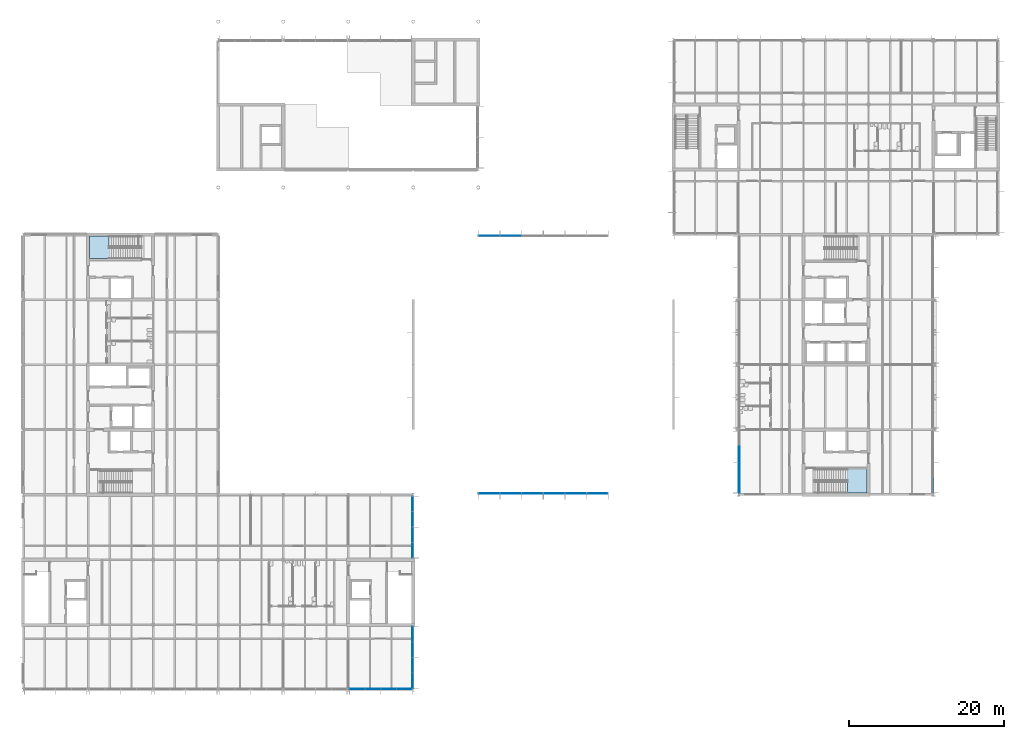
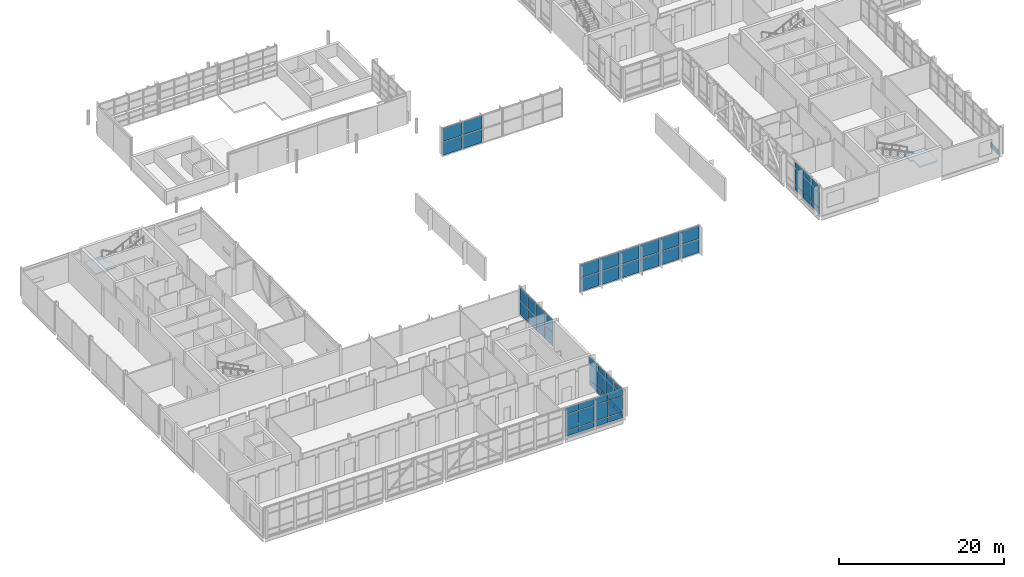
# One storey, part 32 of 72: 58 plates, 2 slabs, 10 elements without a shape of their own.
"""IFC4 building model written with IfcOpenShell, lengths in metres."""

from ifc_helpers import new_model, si_unit, direction, frame, origin, origin_2d, place, context, subcontext, project, spatial, polyline, rectangle, outline, extrude, material, layer, layer_set, type_object, element, aggregate, save


model = new_model("IFC4")

# Units and contexts
model_context = context("Model", 3, precision=1e-05, world=origin(), true_north=direction((0.0, 1.0)))
body_context = subcontext(model_context, "Body", "Model", "MODEL_VIEW")
ifc_project = project(units=[si_unit("LENGTHUNIT", "METRE"), si_unit("AREAUNIT", "SQUARE_METRE"), si_unit("VOLUMEUNIT", "CUBIC_METRE"), si_unit("PLANEANGLEUNIT", "RADIAN"), si_unit("MASSUNIT", "GRAM", prefix="KILO")], contexts=[model_context])

# Site, building, storey
site_placement = place(None, origin())
site = spatial("IfcSite", under=ifc_project, at=site_placement, CompositionType="ELEMENT")
building_placement = place(site_placement, origin())
building = spatial("IfcBuilding", under=site, at=building_placement, Name="Hlaing Beacon Police Headquarters", CompositionType="ELEMENT")
storey_placement = place(building_placement, frame((0.0, 0.0, 14.39990234375)))
storey = spatial("IfcBuildingStorey", under=building, at=storey_placement, Name="L03", CompositionType="ELEMENT", Elevation=14.39990234375)

# Curtain wall, plates
ifc_material_1 = material(Name="Aluminium frame with solar control glazing", Category="aluminium")
curtain_wall_type_1 = type_object("IfcCurtainWallType", Name="Unitised curtain wall 8.02 x 4.37", PredefinedType="NOTDEFINED", material=ifc_material_1)
curtain_wall_1_placement = place(storey_placement, origin())
curtain_wall_1 = element("IfcCurtainWall", 1, at=curtain_wall_1_placement, inside=storey, type_object=curtain_wall_type_1, Name="ENV-CW-L03-E013", PredefinedType="NOTDEFINED")
ifc_material_2 = material(Name="Solar control glazing", Category="glass")
ifc_layer_1 = layer(ifc_material_2, 0.02392578125)
ifc_layer_set_1 = layer_set([ifc_layer_1], Name="Solar control glazing")
plate_type_1 = type_object("IfcPlateType", Name="Clear glazing panel 24", PredefinedType="CURTAIN_PANEL", material=ifc_layer_set_1)
plate_1_placement = place(storey_placement, frame((58.699951171875, 9.594482421875, 3.35009765625), z_axis=(0.0, 0.0, 1.0), x_axis=(0.0, 1.0, 0.0)))
plate_1 = element("IfcPlate", 2, at=plate_1_placement, type_object=plate_type_1, Name="CW-L03-E013 panel 1.3", PredefinedType="CURTAIN_PANEL", context=body_context, shape_type="SweptSolid", body=[
    extrude(rectangle(XDim=1.915771484375, YDim=0.02392578125, at=origin_2d()), origin(), (0.0, 0.0, 1.0), 0.919921875),
])
plate_2_placement = place(storey_placement, frame((58.699951171875, 11.585205078125, 3.35009765625), z_axis=(0.0, 0.0, 1.0), x_axis=(0.0, 1.0, 0.0)))
plate_2 = element("IfcPlate", 3, at=plate_2_placement, type_object=plate_type_1, Name="CW-L03-E013 panel 2.3", PredefinedType="CURTAIN_PANEL", context=body_context, shape_type="SweptSolid", body=[
    extrude(rectangle(XDim=1.94580078125, YDim=0.02392578125, at=origin_2d()), origin(), (0.0, 0.0, 1.0), 0.919921875),
])
plate_3_placement = place(storey_placement, frame((58.699951171875, 13.59130859375, 3.35009765625), z_axis=(0.0, 0.0, 1.0), x_axis=(0.0, 1.0, 0.0)))
plate_3 = element("IfcPlate", 4, at=plate_3_placement, type_object=plate_type_1, Name="CW-L03-E013 panel 3.3", PredefinedType="CURTAIN_PANEL", context=body_context, shape_type="SweptSolid", body=[
    extrude(rectangle(XDim=1.94580078125, YDim=0.02392578125, at=origin_2d()), origin(), (0.0, 0.0, 1.0), 0.919921875),
])
plate_4_placement = place(storey_placement, frame((58.699951171875, 15.58203125, 3.35009765625), z_axis=(0.0, 0.0, 1.0), x_axis=(0.0, 1.0, 0.0)))
plate_4 = element("IfcPlate", 5, at=plate_4_placement, type_object=plate_type_1, Name="CW-L03-E013 panel 4.3", PredefinedType="CURTAIN_PANEL", context=body_context, shape_type="SweptSolid", body=[
    extrude(rectangle(XDim=1.915771484375, YDim=0.02392578125, at=origin_2d()), origin(), (0.0, 0.0, 1.0), 0.919921875),
])

ifc_material_3 = material(Name="Aluminium frame with solar control glazing", Category="aluminium")
curtain_wall_type_2 = type_object("IfcCurtainWallType", Name="Unitised curtain wall 8.15 x 4.37", PredefinedType="NOTDEFINED", material=ifc_material_3)
curtain_wall_2_placement = place(storey_placement, origin())
curtain_wall_2 = element("IfcCurtainWall", 6, at=curtain_wall_2_placement, inside=storey, type_object=curtain_wall_type_2, Name="ENV-CW-L03-S020", PredefinedType="NOTDEFINED")
plate_5_placement = place(storey_placement, frame((51.560302734375, 8.5, 3.35009765625), z_axis=(0.0, 0.0, 1.0), x_axis=(1.0, 0.0, 0.0)))
plate_5 = element("IfcPlate", 7, at=plate_5_placement, type_object=plate_type_1, Name="CW-L03-S020 panel 1.3", PredefinedType="CURTAIN_PANEL", context=body_context, shape_type="SweptSolid", body=[
    extrude(rectangle(XDim=1.946533203125, YDim=0.02392578125, at=origin_2d()), origin(), (0.0, 0.0, 1.0), 0.919921875),
])
plate_6_placement = place(storey_placement, frame((53.581787109375, 8.5, 3.35009765625), z_axis=(0.0, 0.0, 1.0), x_axis=(1.0, 0.0, 0.0)))
plate_6 = element("IfcPlate", 8, at=plate_6_placement, type_object=plate_type_1, Name="CW-L03-S020 panel 2.3", PredefinedType="CURTAIN_PANEL", context=body_context, shape_type="SweptSolid", body=[
    extrude(rectangle(XDim=1.9765625, YDim=0.02392578125, at=origin_2d()), origin(), (0.0, 0.0, 1.0), 0.919921875),
])
plate_7_placement = place(storey_placement, frame((55.6181640625, 8.5, 3.35009765625), z_axis=(0.0, 0.0, 1.0), x_axis=(1.0, 0.0, 0.0)))
plate_7 = element("IfcPlate", 9, at=plate_7_placement, type_object=plate_type_1, Name="CW-L03-S020 panel 3.3", PredefinedType="CURTAIN_PANEL", context=body_context, shape_type="SweptSolid", body=[
    extrude(rectangle(XDim=1.9765625, YDim=0.02392578125, at=origin_2d()), origin(), (0.0, 0.0, 1.0), 0.919921875),
])
plate_8_placement = place(storey_placement, frame((57.6396484375, 8.5, 3.35009765625), z_axis=(0.0, 0.0, 1.0), x_axis=(1.0, 0.0, 0.0)))
plate_8 = element("IfcPlate", 10, at=plate_8_placement, type_object=plate_type_1, Name="CW-L03-S020 panel 4.3", PredefinedType="CURTAIN_PANEL", context=body_context, shape_type="SweptSolid", body=[
    extrude(rectangle(XDim=1.946533203125, YDim=0.02392578125, at=origin_2d()), origin(), (0.0, 0.0, 1.0), 0.919921875),
])

# Plate
ifc_material_4 = material(Name="Solar control glazing", Category="glass")
ifc_layer_2 = layer(ifc_material_4, 0.0439453125)
ifc_layer_set_2 = layer_set([ifc_layer_2], Name="Solar control glazing")
plate_type_2 = type_object("IfcPlateType", Name="Clear glazing panel 44", PredefinedType="CURTAIN_PANEL", material=ifc_layer_set_2)
plate_9_placement = place(storey_placement, frame((58.699951171875, 9.594482421875, 0.9501953125), z_axis=(0.0, 0.0, 1.0), x_axis=(0.0, 1.0, 0.0)))
plate_9 = element("IfcPlate", 11, at=plate_9_placement, type_object=plate_type_2, Name="CW-L03-E013 panel 1.2", PredefinedType="CURTAIN_PANEL", context=body_context, shape_type="SweptSolid", body=[
    extrude(rectangle(XDim=1.915771484375, YDim=0.0439453125, at=origin_2d()), origin(), (0.0, 0.0, 1.0), 2.300048828125),
])

plate_10_placement = place(storey_placement, frame((58.699951171875, 11.585205078125, 0.9501953125), z_axis=(0.0, 0.0, 1.0), x_axis=(0.0, 1.0, 0.0)))
plate_10 = element("IfcPlate", 12, at=plate_10_placement, type_object=plate_type_2, Name="CW-L03-E013 panel 2.2", PredefinedType="CURTAIN_PANEL", context=body_context, shape_type="SweptSolid", body=[
    extrude(rectangle(XDim=1.94580078125, YDim=0.0439453125, at=origin_2d()), origin(), (0.0, 0.0, 1.0), 2.300048828125),
])

plate_11_placement = place(storey_placement, frame((58.699951171875, 13.59130859375, 0.9501953125), z_axis=(0.0, 0.0, 1.0), x_axis=(0.0, 1.0, 0.0)))
plate_11 = element("IfcPlate", 13, at=plate_11_placement, type_object=plate_type_2, Name="CW-L03-E013 panel 3.2", PredefinedType="CURTAIN_PANEL", context=body_context, shape_type="SweptSolid", body=[
    extrude(rectangle(XDim=1.94580078125, YDim=0.0439453125, at=origin_2d()), origin(), (0.0, 0.0, 1.0), 2.300048828125),
])

plate_12_placement = place(storey_placement, frame((58.699951171875, 15.58203125, 0.9501953125), z_axis=(0.0, 0.0, 1.0), x_axis=(0.0, 1.0, 0.0)))
plate_12 = element("IfcPlate", 14, at=plate_12_placement, type_object=plate_type_2, Name="CW-L03-E013 panel 4.2", PredefinedType="CURTAIN_PANEL", context=body_context, shape_type="SweptSolid", body=[
    extrude(rectangle(XDim=1.915771484375, YDim=0.0439453125, at=origin_2d()), origin(), (0.0, 0.0, 1.0), 2.300048828125),
])

# Curtain wall, plates
ifc_material_5 = material(Name="Aluminium frame with solar control glazing", Category="aluminium")
curtain_wall_type_3 = type_object("IfcCurtainWallType", Name="Unitised curtain wall 8.02 x 4.16", PredefinedType="NOTDEFINED", material=ifc_material_5)
curtain_wall_3_placement = place(storey_placement, origin())
curtain_wall_3 = element("IfcCurtainWall", 15, at=curtain_wall_3_placement, inside=storey, type_object=curtain_wall_type_3, Name="ENV-CW-L03-E014", PredefinedType="NOTDEFINED")
plate_13_placement = place(storey_placement, frame((58.699951171875, 26.41796875, 0.30810546875), z_axis=(0.0, 0.0, 1.0), x_axis=(0.0, 1.0, 0.0)))
plate_13 = element("IfcPlate", 16, at=plate_13_placement, type_object=plate_type_2, Name="CW-L03-E014 panel 1.1", PredefinedType="CURTAIN_PANEL", context=body_context, shape_type="SweptSolid", body=[
    extrude(rectangle(XDim=1.915771484375, YDim=0.0439453125, at=origin_2d()), origin(), (0.0, 0.0, 1.0), 1.930908203125),
])
plate_14_placement = place(storey_placement, frame((58.699951171875, 26.41796875, 2.3388671875), z_axis=(0.0, 0.0, 1.0), x_axis=(0.0, 1.0, 0.0)))
plate_14 = element("IfcPlate", 17, at=plate_14_placement, type_object=plate_type_2, Name="CW-L03-E014 panel 1.2", PredefinedType="CURTAIN_PANEL", context=body_context, shape_type="SweptSolid", body=[
    extrude(rectangle(XDim=1.915771484375, YDim=0.0439453125, at=origin_2d()), origin(), (0.0, 0.0, 1.0), 1.93115234375),
])
plate_15_placement = place(storey_placement, frame((58.699951171875, 28.40869140625, 0.30810546875), z_axis=(0.0, 0.0, 1.0), x_axis=(0.0, 1.0, 0.0)))
plate_15 = element("IfcPlate", 18, at=plate_15_placement, type_object=plate_type_2, Name="CW-L03-E014 panel 2.1", PredefinedType="CURTAIN_PANEL", context=body_context, shape_type="SweptSolid", body=[
    extrude(rectangle(XDim=1.94580078125, YDim=0.0439453125, at=origin_2d()), origin(), (0.0, 0.0, 1.0), 1.930908203125),
])
plate_16_placement = place(storey_placement, frame((58.699951171875, 28.40869140625, 2.3388671875), z_axis=(0.0, 0.0, 1.0), x_axis=(0.0, 1.0, 0.0)))
plate_16 = element("IfcPlate", 19, at=plate_16_placement, type_object=plate_type_2, Name="CW-L03-E014 panel 2.2", PredefinedType="CURTAIN_PANEL", context=body_context, shape_type="SweptSolid", body=[
    extrude(rectangle(XDim=1.94580078125, YDim=0.0439453125, at=origin_2d()), origin(), (0.0, 0.0, 1.0), 1.93115234375),
])
plate_17_placement = place(storey_placement, frame((58.699951171875, 30.414794921875, 0.30810546875), z_axis=(0.0, 0.0, 1.0), x_axis=(0.0, 1.0, 0.0)))
plate_17 = element("IfcPlate", 20, at=plate_17_placement, type_object=plate_type_2, Name="CW-L03-E014 panel 3.1", PredefinedType="CURTAIN_PANEL", context=body_context, shape_type="SweptSolid", body=[
    extrude(rectangle(XDim=1.94580078125, YDim=0.0439453125, at=origin_2d()), origin(), (0.0, 0.0, 1.0), 1.930908203125),
])
plate_18_placement = place(storey_placement, frame((58.699951171875, 30.414794921875, 2.3388671875), z_axis=(0.0, 0.0, 1.0), x_axis=(0.0, 1.0, 0.0)))
plate_18 = element("IfcPlate", 21, at=plate_18_placement, type_object=plate_type_2, Name="CW-L03-E014 panel 3.2", PredefinedType="CURTAIN_PANEL", context=body_context, shape_type="SweptSolid", body=[
    extrude(rectangle(XDim=1.94580078125, YDim=0.0439453125, at=origin_2d()), origin(), (0.0, 0.0, 1.0), 1.93115234375),
])
plate_19_placement = place(storey_placement, frame((58.699951171875, 32.405517578125, 0.30810546875), z_axis=(0.0, 0.0, 1.0), x_axis=(0.0, 1.0, 0.0)))
plate_19 = element("IfcPlate", 22, at=plate_19_placement, type_object=plate_type_2, Name="CW-L03-E014 panel 4.1", PredefinedType="CURTAIN_PANEL", context=body_context, shape_type="SweptSolid", body=[
    extrude(rectangle(XDim=1.915771484375, YDim=0.0439453125, at=origin_2d()), origin(), (0.0, 0.0, 1.0), 1.930908203125),
])
plate_20_placement = place(storey_placement, frame((58.699951171875, 32.405517578125, 2.3388671875), z_axis=(0.0, 0.0, 1.0), x_axis=(0.0, 1.0, 0.0)))
plate_20 = element("IfcPlate", 23, at=plate_20_placement, type_object=plate_type_2, Name="CW-L03-E014 panel 4.2", PredefinedType="CURTAIN_PANEL", context=body_context, shape_type="SweptSolid", body=[
    extrude(rectangle(XDim=1.915771484375, YDim=0.0439453125, at=origin_2d()), origin(), (0.0, 0.0, 1.0), 1.93115234375),
])
aggregate(curtain_wall_3, [plate_13, plate_14, plate_15, plate_16, plate_17, plate_18, plate_19, plate_20])

# Plate
plate_21_placement = place(storey_placement, frame((51.560302734375, 8.5, 0.9501953125), z_axis=(0.0, 0.0, 1.0), x_axis=(1.0, 0.0, 0.0)))
plate_21 = element("IfcPlate", 24, at=plate_21_placement, type_object=plate_type_2, Name="CW-L03-S020 panel 1.2", PredefinedType="CURTAIN_PANEL", context=body_context, shape_type="SweptSolid", body=[
    extrude(rectangle(XDim=1.946533203125, YDim=0.0439453125, at=origin_2d()), origin(), (0.0, 0.0, 1.0), 2.300048828125),
])

plate_22_placement = place(storey_placement, frame((53.581787109375, 8.5, 0.9501953125), z_axis=(0.0, 0.0, 1.0), x_axis=(1.0, 0.0, 0.0)))
plate_22 = element("IfcPlate", 25, at=plate_22_placement, type_object=plate_type_2, Name="CW-L03-S020 panel 2.2", PredefinedType="CURTAIN_PANEL", context=body_context, shape_type="SweptSolid", body=[
    extrude(rectangle(XDim=1.9765625, YDim=0.0439453125, at=origin_2d()), origin(), (0.0, 0.0, 1.0), 2.300048828125),
])

plate_23_placement = place(storey_placement, frame((55.6181640625, 8.5, 0.9501953125), z_axis=(0.0, 0.0, 1.0), x_axis=(1.0, 0.0, 0.0)))
plate_23 = element("IfcPlate", 26, at=plate_23_placement, type_object=plate_type_2, Name="CW-L03-S020 panel 3.2", PredefinedType="CURTAIN_PANEL", context=body_context, shape_type="SweptSolid", body=[
    extrude(rectangle(XDim=1.9765625, YDim=0.0439453125, at=origin_2d()), origin(), (0.0, 0.0, 1.0), 2.300048828125),
])

plate_24_placement = place(storey_placement, frame((57.6396484375, 8.5, 0.9501953125), z_axis=(0.0, 0.0, 1.0), x_axis=(1.0, 0.0, 0.0)))
plate_24 = element("IfcPlate", 27, at=plate_24_placement, type_object=plate_type_2, Name="CW-L03-S020 panel 4.2", PredefinedType="CURTAIN_PANEL", context=body_context, shape_type="SweptSolid", body=[
    extrude(rectangle(XDim=1.946533203125, YDim=0.0439453125, at=origin_2d()), origin(), (0.0, 0.0, 1.0), 2.300048828125),
])

# Curtain wall, plates
curtain_wall_4_placement = place(storey_placement, origin())
curtain_wall_4 = element("IfcCurtainWall", 28, at=curtain_wall_4_placement, inside=storey, type_object=curtain_wall_type_1, Name="ENV-CW-L03-W039", PredefinedType="NOTDEFINED")
plate_25_placement = place(storey_placement, frame((100.89990234375, 38.801025390625, 0.9501953125), z_axis=(0.0, 0.0, 1.0), x_axis=(0.0, -1.0, 0.0)))
plate_25 = element("IfcPlate", 29, at=plate_25_placement, type_object=plate_type_2, Name="CW-L03-W039 panel 2.2", PredefinedType="CURTAIN_PANEL", context=body_context, shape_type="SweptSolid", body=[
    extrude(rectangle(XDim=1.94580078125, YDim=0.0439453125, at=origin_2d()), origin(), (0.0, 0.0, 1.0), 2.300048828125),
])
plate_26_placement = place(storey_placement, frame((100.89990234375, 34.804443359375, 0.9501953125), z_axis=(0.0, 0.0, 1.0), x_axis=(0.0, -1.0, 0.0)))
plate_26 = element("IfcPlate", 30, at=plate_26_placement, type_object=plate_type_2, Name="CW-L03-W039 panel 4.2", PredefinedType="CURTAIN_PANEL", context=body_context, shape_type="SweptSolid", body=[
    extrude(rectangle(XDim=1.915771484375, YDim=0.0439453125, at=origin_2d()), origin(), (0.0, 0.0, 1.0), 2.300048828125),
])
ifc_material_6 = material(Name="Fritted solar control glazing", Category="glass")
ifc_layer_3 = layer(ifc_material_6, 0.0439453125)
ifc_layer_set_3 = layer_set([ifc_layer_3], Name="Fritted solar control glazing")
plate_type_3 = type_object("IfcPlateType", Name="Fritted glazing panel 44", PredefinedType="CURTAIN_PANEL", material=ifc_layer_set_3)
plate_27_placement = place(storey_placement, frame((100.89990234375, 36.795166015625, 0.9501953125), z_axis=(0.0, 0.0, 1.0), x_axis=(0.0, -1.0, 0.0)))
plate_27 = element("IfcPlate", 31, at=plate_27_placement, type_object=plate_type_3, Name="CW-L03-W039 panel 3.2", PredefinedType="CURTAIN_PANEL", context=body_context, shape_type="SweptSolid", body=[
    extrude(rectangle(XDim=1.94580078125, YDim=0.0439453125, at=origin_2d()), origin(), (0.0, 0.0, 1.0), 2.300048828125),
])

# Curtain wall, plate
ifc_material_7 = material(Name="Aluminium frame with solar control glazing", Category="aluminium")
curtain_wall_type_4 = type_object("IfcCurtainWallType", Name="Unitised curtain wall 8.00 x 4.37", PredefinedType="NOTDEFINED", material=ifc_material_7)
curtain_wall_5_placement = place(storey_placement, origin())
curtain_wall_5 = element("IfcCurtainWall", 32, at=curtain_wall_5_placement, inside=storey, type_object=curtain_wall_type_4, Name="ENV-CW-L03-E021", PredefinedType="NOTDEFINED")
ifc_material_8 = material(Name="Insulated aluminium spandrel", Category="aluminium")
ifc_layer_4 = layer(ifc_material_8, 0.06005859375)
ifc_layer_set_4 = layer_set([ifc_layer_4], Name="Insulated aluminium spandrel")
plate_type_4 = type_object("IfcPlateType", Name="Insulated spandrel panel 60", PredefinedType="CURTAIN_PANEL", material=ifc_layer_set_4)
plate_28_placement = place(storey_placement, frame((125.89990234375, 34.823486328125, 0.10009765625), z_axis=(0.0, 0.0, 1.0), x_axis=(0.0, 1.0, 0.0)))
plate_28 = element("IfcPlate", 33, at=plate_28_placement, type_object=plate_type_4, Name="CW-L03-E021 panel 1.1", PredefinedType="CURTAIN_PANEL", context=body_context, shape_type="SweptSolid", body=[
    extrude(rectangle(XDim=1.910400390625, YDim=0.06005859375, at=origin_2d()), origin(), (0.0, 0.0, 1.0), 0.75),
])
aggregate(curtain_wall_5, [plate_28])

# Plate
ifc_material_9 = material(Name="Insulated aluminium spandrel", Category="aluminium")
ifc_layer_5 = layer(ifc_material_9, 0.080078125)
ifc_layer_set_5 = layer_set([ifc_layer_5], Name="Insulated aluminium spandrel")
plate_type_5 = type_object("IfcPlateType", Name="Insulated spandrel panel 80", PredefinedType="CURTAIN_PANEL", material=ifc_layer_set_5)
plate_29_placement = place(storey_placement, frame((100.89990234375, 38.801025390625, 0.10009765625), z_axis=(0.0, 0.0, 1.0), x_axis=(0.0, -1.0, 0.0)))
plate_29 = element("IfcPlate", 34, at=plate_29_placement, type_object=plate_type_5, Name="CW-L03-W039 panel 2.1", PredefinedType="CURTAIN_PANEL", context=body_context, shape_type="SweptSolid", body=[
    extrude(rectangle(XDim=1.94580078125, YDim=0.080078125, at=origin_2d()), origin(), (0.0, 0.0, 1.0), 0.75),
])

plate_30_placement = place(storey_placement, frame((100.89990234375, 36.795166015625, 0.10009765625), z_axis=(0.0, 0.0, 1.0), x_axis=(0.0, -1.0, 0.0)))
plate_30 = element("IfcPlate", 35, at=plate_30_placement, type_object=plate_type_5, Name="CW-L03-W039 panel 3.1", PredefinedType="CURTAIN_PANEL", context=body_context, shape_type="SweptSolid", body=[
    extrude(rectangle(XDim=1.94580078125, YDim=0.080078125, at=origin_2d()), origin(), (0.0, 0.0, 1.0), 0.75),
])

plate_31_placement = place(storey_placement, frame((100.89990234375, 34.804443359375, 0.10009765625), z_axis=(0.0, 0.0, 1.0), x_axis=(0.0, -1.0, 0.0)))
plate_31 = element("IfcPlate", 36, at=plate_31_placement, type_object=plate_type_5, Name="CW-L03-W039 panel 4.1", PredefinedType="CURTAIN_PANEL", context=body_context, shape_type="SweptSolid", body=[
    extrude(rectangle(XDim=1.915771484375, YDim=0.080078125, at=origin_2d()), origin(), (0.0, 0.0, 1.0), 0.75),
])

# Curtain wall, plates
ifc_material_10 = material(Name="Aluminium frame with solar control glazing", Category="aluminium")
curtain_wall_type_5 = type_object("IfcCurtainWallType", Name="Structural glazed gable wall 8.40 x 4.20", PredefinedType="NOTDEFINED", material=ifc_material_10)
curtain_wall_6_placement = place(storey_placement, origin())
curtain_wall_6 = element("IfcCurtainWall", 37, at=curtain_wall_6_placement, inside=storey, type_object=curtain_wall_type_5, Name="ENV-CW-L03-N002", PredefinedType="NOTDEFINED")
ifc_material_11 = material(Name="Laminated solar control glazing", Category="glass")
ifc_layer_6 = layer(ifc_material_11, 0.0439453125)
ifc_layer_set_6 = layer_set([ifc_layer_6], Name="Laminated solar control glazing")
plate_type_6 = type_object("IfcPlateType", Name="Laminated glazing panel 44", PredefinedType="CURTAIN_PANEL", material=ifc_layer_set_6)
plate_32_placement = place(storey_placement, frame((71.39990234375, 67.050048828125, 0.40478515625), z_axis=(0.0, 0.0, 1.0), x_axis=(-1.0, 0.0, 0.0)))
plate_32 = element("IfcPlate", 38, at=plate_32_placement, type_object=plate_type_6, Name="CW-L03-N002 panel 2.1", PredefinedType="CURTAIN_PANEL", context=body_context, shape_type="SweptSolid", body=[
    extrude(rectangle(XDim=2.719970703125, YDim=0.0439453125, at=origin_2d()), origin(), (0.0, 0.0, 1.0), 1.947998046875),
])
plate_33_placement = place(storey_placement, frame((71.39990234375, 67.050048828125, 2.452880859375), z_axis=(0.0, 0.0, 1.0), x_axis=(-1.0, 0.0, 0.0)))
plate_33 = element("IfcPlate", 39, at=plate_33_placement, type_object=plate_type_6, Name="CW-L03-N002 panel 2.2", PredefinedType="CURTAIN_PANEL", context=body_context, shape_type="SweptSolid", body=[
    extrude(rectangle(XDim=2.719970703125, YDim=0.0439453125, at=origin_2d()), origin(), (0.0, 0.0, 1.0), 1.947265625),
])
plate_34_placement = place(storey_placement, frame((68.6201171875, 67.050048828125, 0.40478515625), z_axis=(0.0, 0.0, 1.0), x_axis=(-1.0, 0.0, 0.0)))
plate_34 = element("IfcPlate", 40, at=plate_34_placement, type_object=plate_type_6, Name="CW-L03-N002 panel 3.1", PredefinedType="CURTAIN_PANEL", context=body_context, shape_type="SweptSolid", body=[
    extrude(rectangle(XDim=2.679931640625, YDim=0.0439453125, at=origin_2d()), origin(), (0.0, 0.0, 1.0), 1.947998046875),
])
plate_35_placement = place(storey_placement, frame((68.6201171875, 67.050048828125, 2.452880859375), z_axis=(0.0, 0.0, 1.0), x_axis=(-1.0, 0.0, 0.0)))
plate_35 = element("IfcPlate", 41, at=plate_35_placement, type_object=plate_type_6, Name="CW-L03-N002 panel 3.2", PredefinedType="CURTAIN_PANEL", context=body_context, shape_type="SweptSolid", body=[
    extrude(rectangle(XDim=2.679931640625, YDim=0.0439453125, at=origin_2d()), origin(), (0.0, 0.0, 1.0), 1.947265625),
])
aggregate(curtain_wall_6, [plate_32, plate_33, plate_34, plate_35])

curtain_wall_7_placement = place(storey_placement, origin())
curtain_wall_7 = element("IfcCurtainWall", 42, at=curtain_wall_7_placement, inside=storey, type_object=curtain_wall_type_5, Name="ENV-CW-L03-S003", PredefinedType="NOTDEFINED")
plate_36_placement = place(storey_placement, frame((68.6201171875, 33.75, 0.40478515625), z_axis=(0.0, 0.0, 1.0), x_axis=(1.0, 0.0, 0.0)))
plate_36 = element("IfcPlate", 43, at=plate_36_placement, type_object=plate_type_6, Name="CW-L03-S003 panel 1.1", PredefinedType="CURTAIN_PANEL", context=body_context, shape_type="SweptSolid", body=[
    extrude(rectangle(XDim=2.679931640625, YDim=0.0439453125, at=origin_2d()), origin(), (0.0, 0.0, 1.0), 1.947998046875),
])
plate_37_placement = place(storey_placement, frame((68.6201171875, 33.75, 2.452880859375), z_axis=(0.0, 0.0, 1.0), x_axis=(1.0, 0.0, 0.0)))
plate_37 = element("IfcPlate", 44, at=plate_37_placement, type_object=plate_type_6, Name="CW-L03-S003 panel 1.2", PredefinedType="CURTAIN_PANEL", context=body_context, shape_type="SweptSolid", body=[
    extrude(rectangle(XDim=2.679931640625, YDim=0.0439453125, at=origin_2d()), origin(), (0.0, 0.0, 1.0), 1.947265625),
])
plate_38_placement = place(storey_placement, frame((71.39990234375, 33.75, 0.40478515625), z_axis=(0.0, 0.0, 1.0), x_axis=(1.0, 0.0, 0.0)))
plate_38 = element("IfcPlate", 45, at=plate_38_placement, type_object=plate_type_6, Name="CW-L03-S003 panel 2.1", PredefinedType="CURTAIN_PANEL", context=body_context, shape_type="SweptSolid", body=[
    extrude(rectangle(XDim=2.719970703125, YDim=0.0439453125, at=origin_2d()), origin(), (0.0, 0.0, 1.0), 1.947998046875),
])
plate_39_placement = place(storey_placement, frame((71.39990234375, 33.75, 2.452880859375), z_axis=(0.0, 0.0, 1.0), x_axis=(1.0, 0.0, 0.0)))
plate_39 = element("IfcPlate", 46, at=plate_39_placement, type_object=plate_type_6, Name="CW-L03-S003 panel 2.2", PredefinedType="CURTAIN_PANEL", context=body_context, shape_type="SweptSolid", body=[
    extrude(rectangle(XDim=2.719970703125, YDim=0.0439453125, at=origin_2d()), origin(), (0.0, 0.0, 1.0), 1.947265625),
])
plate_40_placement = place(storey_placement, frame((74.179931640625, 33.75, 0.40478515625), z_axis=(0.0, 0.0, 1.0), x_axis=(1.0, 0.0, 0.0)))
plate_40 = element("IfcPlate", 47, at=plate_40_placement, type_object=plate_type_6, Name="CW-L03-S003 panel 3.1", PredefinedType="CURTAIN_PANEL", context=body_context, shape_type="SweptSolid", body=[
    extrude(rectangle(XDim=2.679931640625, YDim=0.0439453125, at=origin_2d()), origin(), (0.0, 0.0, 1.0), 1.947998046875),
])
plate_41_placement = place(storey_placement, frame((74.179931640625, 33.75, 2.452880859375), z_axis=(0.0, 0.0, 1.0), x_axis=(1.0, 0.0, 0.0)))
plate_41 = element("IfcPlate", 48, at=plate_41_placement, type_object=plate_type_6, Name="CW-L03-S003 panel 3.2", PredefinedType="CURTAIN_PANEL", context=body_context, shape_type="SweptSolid", body=[
    extrude(rectangle(XDim=2.679931640625, YDim=0.0439453125, at=origin_2d()), origin(), (0.0, 0.0, 1.0), 1.947265625),
])
aggregate(curtain_wall_7, [plate_36, plate_37, plate_38, plate_39, plate_40, plate_41])

curtain_wall_8_placement = place(storey_placement, origin())
curtain_wall_8 = element("IfcCurtainWall", 49, at=curtain_wall_8_placement, inside=storey, type_object=curtain_wall_type_5, Name="ENV-CW-L03-S004", PredefinedType="NOTDEFINED")
plate_42_placement = place(storey_placement, frame((77.02001953125, 33.75, 0.40478515625), z_axis=(0.0, 0.0, 1.0), x_axis=(1.0, 0.0, 0.0)))
plate_42 = element("IfcPlate", 50, at=plate_42_placement, type_object=plate_type_6, Name="CW-L03-S004 panel 1.1", PredefinedType="CURTAIN_PANEL", context=body_context, shape_type="SweptSolid", body=[
    extrude(rectangle(XDim=2.679931640625, YDim=0.0439453125, at=origin_2d()), origin(), (0.0, 0.0, 1.0), 1.947998046875),
])
plate_43_placement = place(storey_placement, frame((77.02001953125, 33.75, 2.452880859375), z_axis=(0.0, 0.0, 1.0), x_axis=(1.0, 0.0, 0.0)))
plate_43 = element("IfcPlate", 51, at=plate_43_placement, type_object=plate_type_6, Name="CW-L03-S004 panel 1.2", PredefinedType="CURTAIN_PANEL", context=body_context, shape_type="SweptSolid", body=[
    extrude(rectangle(XDim=2.679931640625, YDim=0.0439453125, at=origin_2d()), origin(), (0.0, 0.0, 1.0), 1.947265625),
])
plate_44_placement = place(storey_placement, frame((79.800048828125, 33.75, 0.40478515625), z_axis=(0.0, 0.0, 1.0), x_axis=(1.0, 0.0, 0.0)))
plate_44 = element("IfcPlate", 52, at=plate_44_placement, type_object=plate_type_6, Name="CW-L03-S004 panel 2.1", PredefinedType="CURTAIN_PANEL", context=body_context, shape_type="SweptSolid", body=[
    extrude(rectangle(XDim=2.719970703125, YDim=0.0439453125, at=origin_2d()), origin(), (0.0, 0.0, 1.0), 1.947998046875),
])
plate_45_placement = place(storey_placement, frame((79.800048828125, 33.75, 2.452880859375), z_axis=(0.0, 0.0, 1.0), x_axis=(1.0, 0.0, 0.0)))
plate_45 = element("IfcPlate", 53, at=plate_45_placement, type_object=plate_type_6, Name="CW-L03-S004 panel 2.2", PredefinedType="CURTAIN_PANEL", context=body_context, shape_type="SweptSolid", body=[
    extrude(rectangle(XDim=2.719970703125, YDim=0.0439453125, at=origin_2d()), origin(), (0.0, 0.0, 1.0), 1.947265625),
])
plate_46_placement = place(storey_placement, frame((82.580078125, 33.75, 0.40478515625), z_axis=(0.0, 0.0, 1.0), x_axis=(1.0, 0.0, 0.0)))
plate_46 = element("IfcPlate", 54, at=plate_46_placement, type_object=plate_type_6, Name="CW-L03-S004 panel 3.1", PredefinedType="CURTAIN_PANEL", context=body_context, shape_type="SweptSolid", body=[
    extrude(rectangle(XDim=2.679931640625, YDim=0.0439453125, at=origin_2d()), origin(), (0.0, 0.0, 1.0), 1.947998046875),
])
plate_47_placement = place(storey_placement, frame((82.580078125, 33.75, 2.452880859375), z_axis=(0.0, 0.0, 1.0), x_axis=(1.0, 0.0, 0.0)))
plate_47 = element("IfcPlate", 55, at=plate_47_placement, type_object=plate_type_6, Name="CW-L03-S004 panel 3.2", PredefinedType="CURTAIN_PANEL", context=body_context, shape_type="SweptSolid", body=[
    extrude(rectangle(XDim=2.679931640625, YDim=0.0439453125, at=origin_2d()), origin(), (0.0, 0.0, 1.0), 1.947265625),
])
aggregate(curtain_wall_8, [plate_42, plate_43, plate_44, plate_45, plate_46, plate_47])

# Plate
ifc_material_12 = material(Name="Perforated aluminium", Category="aluminium")
ifc_layer_7 = layer(ifc_material_12, 0.00390625)
ifc_layer_set_7 = layer_set([ifc_layer_7], Name="Perforated aluminium")
plate_type_7 = type_object("IfcPlateType", Name="Perforated aluminium vent panel 4", PredefinedType="CURTAIN_PANEL", material=ifc_layer_set_7)
plate_48_placement = place(storey_placement, frame((100.89990234375, 38.801025390625, 3.35009765625), z_axis=(0.0, 0.0, 1.0), x_axis=(0.0, -1.0, 0.0)))
plate_48 = element("IfcPlate", 56, at=plate_48_placement, type_object=plate_type_7, Name="CW-L03-W039 panel 2.3", PredefinedType="CURTAIN_PANEL", context=body_context, shape_type="SweptSolid", body=[
    extrude(rectangle(XDim=1.94580078125, YDim=0.00390625, at=origin_2d()), origin(), (0.0, 0.0, 1.0), 0.919921875),
])

plate_49_placement = place(storey_placement, frame((100.89990234375, 36.795166015625, 3.35009765625), z_axis=(0.0, 0.0, 1.0), x_axis=(0.0, -1.0, 0.0)))
plate_49 = element("IfcPlate", 57, at=plate_49_placement, type_object=plate_type_7, Name="CW-L03-W039 panel 3.3", PredefinedType="CURTAIN_PANEL", context=body_context, shape_type="SweptSolid", body=[
    extrude(rectangle(XDim=1.94580078125, YDim=0.00390625, at=origin_2d()), origin(), (0.0, 0.0, 1.0), 0.919921875),
])

plate_50_placement = place(storey_placement, frame((100.89990234375, 34.804443359375, 3.35009765625), z_axis=(0.0, 0.0, 1.0), x_axis=(0.0, -1.0, 0.0)))
plate_50 = element("IfcPlate", 58, at=plate_50_placement, type_object=plate_type_7, Name="CW-L03-W039 panel 4.3", PredefinedType="CURTAIN_PANEL", context=body_context, shape_type="SweptSolid", body=[
    extrude(rectangle(XDim=1.915771484375, YDim=0.00390625, at=origin_2d()), origin(), (0.0, 0.0, 1.0), 0.919921875),
])

aggregate(curtain_wall_4, [plate_29, plate_25, plate_48, plate_30, plate_27, plate_49, plate_31, plate_26, plate_50])

# Stair, slab
ifc_material_13 = material(Name="Concrete C40/50", Category="concrete")
stair_type_1 = type_object("IfcStairType", Name="Half-turn stair 1500 wide, 4500 rise", PredefinedType="HALF_TURN_STAIR", material=ifc_material_13)
stair_1_placement = place(storey_placement, origin())
stair_1 = element("IfcStair", 59, at=stair_1_placement, inside=storey, type_object=stair_type_1, Name="Stair ST-L", PredefinedType="HALF_TURN_STAIR")
ifc_material_14 = material(Name="Concrete C40/50", Category="concrete")
ifc_layer_8 = layer(ifc_material_14, 0.219970703125)
ifc_layer_set_8 = layer_set([ifc_layer_8], Name="Concrete C40/50")
slab_type = type_object("IfcSlabType", Name="Stair landing 220", PredefinedType="LANDING", material=ifc_layer_set_8)
slab_1_placement = place(storey_placement, frame((0.0, 0.0, 2.030029296875)))
slab_1 = element("IfcSlab", 60, at=slab_1_placement, type_object=slab_type, Name="ST-L landing 1", PredefinedType="LANDING", context=body_context, shape_type="SweptSolid", body=[
    extrude(outline(polyline([(114.889892578125, 33.800048828125), (117.39990234375, 33.800048828125), (117.39990234375, 36.89990234375), (114.5, 36.89990234375), (114.5, 35.39990234375), (114.889892578125, 35.39990234375), (114.889892578125, 33.800048828125)])), origin(), (0.0, 0.0, 1.0), 0.219970703125),
])
aggregate(stair_1, [slab_1])

ifc_material_15 = material(Name="Concrete C40/50", Category="concrete")
stair_type_2 = type_object("IfcStairType", Name="Half-turn stair 1400 wide, 4500 rise", PredefinedType="HALF_TURN_STAIR", material=ifc_material_15)
stair_2_placement = place(storey_placement, origin())
stair_2 = element("IfcStair", 61, at=stair_2_placement, inside=storey, type_object=stair_type_2, Name="Stair ST-P", PredefinedType="HALF_TURN_STAIR")
slab_2_placement = place(storey_placement, frame((0.0, 0.0, 2.030029296875)))
slab_2 = element("IfcSlab", 62, at=slab_2_placement, type_object=slab_type, Name="ST-P landing 1", PredefinedType="LANDING", context=body_context, shape_type="SweptSolid", body=[
    extrude(outline(polyline([(19.510009765625, 67.0), (17.0, 67.0), (17.0, 64.10009765625), (19.89990234375, 64.10009765625), (19.89990234375, 65.5), (19.510009765625, 65.5), (19.510009765625, 67.0)])), origin(), (0.0, 0.0, 1.0), 0.219970703125),
])
aggregate(stair_2, [slab_2])

# Plate
ifc_material_16 = material(Name="Terracotta ribbed cladding", Category="masonry")
ifc_layer_9 = layer(ifc_material_16, 0.06005859375)
ifc_layer_set_9 = layer_set([ifc_layer_9], Name="Terracotta ribbed cladding")
plate_type_8 = type_object("IfcPlateType", Name="Terracotta ribbed spandrel panel 60", PredefinedType="CURTAIN_PANEL", material=ifc_layer_set_9)
plate_51_placement = place(storey_placement, frame((58.699951171875, 9.594482421875, 0.10009765625), z_axis=(0.0, 0.0, 1.0), x_axis=(0.0, 1.0, 0.0)))
plate_51 = element("IfcPlate", 63, at=plate_51_placement, type_object=plate_type_8, Name="CW-L03-E013 panel 1.1", PredefinedType="CURTAIN_PANEL", context=body_context, shape_type="SweptSolid", body=[
    extrude(rectangle(XDim=1.915771484375, YDim=0.06005859375, at=origin_2d()), origin(), (0.0, 0.0, 1.0), 0.75),
])

plate_52_placement = place(storey_placement, frame((58.699951171875, 11.585205078125, 0.10009765625), z_axis=(0.0, 0.0, 1.0), x_axis=(0.0, 1.0, 0.0)))
plate_52 = element("IfcPlate", 64, at=plate_52_placement, type_object=plate_type_8, Name="CW-L03-E013 panel 2.1", PredefinedType="CURTAIN_PANEL", context=body_context, shape_type="SweptSolid", body=[
    extrude(rectangle(XDim=1.94580078125, YDim=0.06005859375, at=origin_2d()), origin(), (0.0, 0.0, 1.0), 0.75),
])

plate_53_placement = place(storey_placement, frame((58.699951171875, 13.59130859375, 0.10009765625), z_axis=(0.0, 0.0, 1.0), x_axis=(0.0, 1.0, 0.0)))
plate_53 = element("IfcPlate", 65, at=plate_53_placement, type_object=plate_type_8, Name="CW-L03-E013 panel 3.1", PredefinedType="CURTAIN_PANEL", context=body_context, shape_type="SweptSolid", body=[
    extrude(rectangle(XDim=1.94580078125, YDim=0.06005859375, at=origin_2d()), origin(), (0.0, 0.0, 1.0), 0.75),
])

plate_54_placement = place(storey_placement, frame((58.699951171875, 15.58203125, 0.10009765625), z_axis=(0.0, 0.0, 1.0), x_axis=(0.0, 1.0, 0.0)))
plate_54 = element("IfcPlate", 66, at=plate_54_placement, type_object=plate_type_8, Name="CW-L03-E013 panel 4.1", PredefinedType="CURTAIN_PANEL", context=body_context, shape_type="SweptSolid", body=[
    extrude(rectangle(XDim=1.915771484375, YDim=0.06005859375, at=origin_2d()), origin(), (0.0, 0.0, 1.0), 0.75),
])

aggregate(curtain_wall_1, [plate_51, plate_9, plate_1, plate_52, plate_10, plate_2, plate_53, plate_11, plate_3, plate_54, plate_12, plate_4])

plate_55_placement = place(storey_placement, frame((51.560302734375, 8.5, 0.10009765625), z_axis=(0.0, 0.0, 1.0), x_axis=(1.0, 0.0, 0.0)))
plate_55 = element("IfcPlate", 67, at=plate_55_placement, type_object=plate_type_8, Name="CW-L03-S020 panel 1.1", PredefinedType="CURTAIN_PANEL", context=body_context, shape_type="SweptSolid", body=[
    extrude(rectangle(XDim=1.946533203125, YDim=0.06005859375, at=origin_2d()), origin(), (0.0, 0.0, 1.0), 0.75),
])

plate_56_placement = place(storey_placement, frame((53.581787109375, 8.5, 0.10009765625), z_axis=(0.0, 0.0, 1.0), x_axis=(1.0, 0.0, 0.0)))
plate_56 = element("IfcPlate", 68, at=plate_56_placement, type_object=plate_type_8, Name="CW-L03-S020 panel 2.1", PredefinedType="CURTAIN_PANEL", context=body_context, shape_type="SweptSolid", body=[
    extrude(rectangle(XDim=1.9765625, YDim=0.06005859375, at=origin_2d()), origin(), (0.0, 0.0, 1.0), 0.75),
])

plate_57_placement = place(storey_placement, frame((55.6181640625, 8.5, 0.10009765625), z_axis=(0.0, 0.0, 1.0), x_axis=(1.0, 0.0, 0.0)))
plate_57 = element("IfcPlate", 69, at=plate_57_placement, type_object=plate_type_8, Name="CW-L03-S020 panel 3.1", PredefinedType="CURTAIN_PANEL", context=body_context, shape_type="SweptSolid", body=[
    extrude(rectangle(XDim=1.9765625, YDim=0.06005859375, at=origin_2d()), origin(), (0.0, 0.0, 1.0), 0.75),
])

plate_58_placement = place(storey_placement, frame((57.6396484375, 8.5, 0.10009765625), z_axis=(0.0, 0.0, 1.0), x_axis=(1.0, 0.0, 0.0)))
plate_58 = element("IfcPlate", 70, at=plate_58_placement, type_object=plate_type_8, Name="CW-L03-S020 panel 4.1", PredefinedType="CURTAIN_PANEL", context=body_context, shape_type="SweptSolid", body=[
    extrude(rectangle(XDim=1.946533203125, YDim=0.06005859375, at=origin_2d()), origin(), (0.0, 0.0, 1.0), 0.75),
])

aggregate(curtain_wall_2, [plate_55, plate_21, plate_5, plate_56, plate_22, plate_6, plate_57, plate_23, plate_7, plate_58, plate_24, plate_8])

save(model, "model.ifc")
